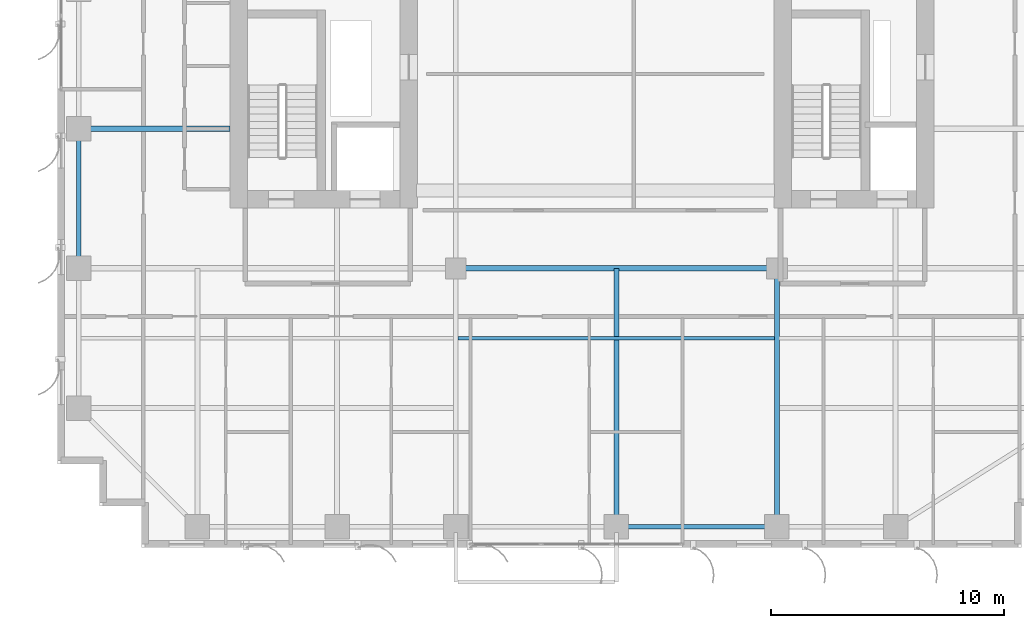
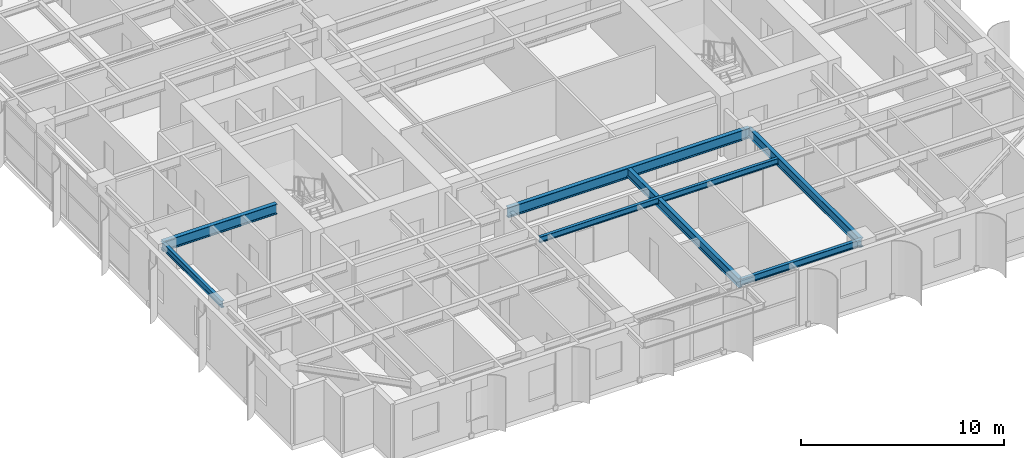
# One storey, part 3 of 25: 7 beams.
"""IFC4 building model written with IfcOpenShell, lengths in metres."""

from ifc_helpers import new_model, si_unit, direction, frame, origin, origin_2d, place, context, subcontext, project, spatial, i_section, extrude, source, transform, mapped, material, material_profile, profile_set, type_object, element, save


model = new_model("IFC4")

# Units and contexts
model_context = context("Model", 3, precision=1e-05, world=origin(), true_north=direction((0.0, 1.0)))
body_context = subcontext(model_context, "Body", "Model", "MODEL_VIEW")
ifc_project = project(units=[si_unit("LENGTHUNIT", "METRE"), si_unit("AREAUNIT", "SQUARE_METRE"), si_unit("VOLUMEUNIT", "CUBIC_METRE"), si_unit("PLANEANGLEUNIT", "RADIAN"), si_unit("MASSUNIT", "GRAM", prefix="KILO")], contexts=[model_context])

# Site, building, storey
site_placement = place(None, origin())
site = spatial("IfcSite", under=ifc_project, at=site_placement, CompositionType="ELEMENT")
building_placement = place(site_placement, origin())
building = spatial("IfcBuilding", under=site, at=building_placement, Name="Khoralis Quay Care Tower", CompositionType="ELEMENT")
storey_placement = place(building_placement, frame((0.0, 0.0, 134.10009765625)))
storey = spatial("IfcBuildingStorey", under=building, at=storey_placement, Name="L35", CompositionType="ELEMENT", Elevation=134.10009765625)

# Beams
ifc_material = material(Name="Steel S355", Category="steel")
ifc_material_profile_1 = material_profile(ifc_material, i_section(OverallWidth=0.179931640625, OverallDepth=0.39990234375, WebThickness=0.008544921875, FlangeThickness=0.013427734375, FilletRadius=0.02099609375, at=origin_2d()), Name="Steel S355")
ifc_profile_set_1 = profile_set([ifc_material_profile_1], Name="Steel S355")
beam_type_1 = type_object("IfcBeamType", Name="BM-IPE400", PredefinedType="SPANDREL", material=ifc_profile_set_1)
shared_shape_1 = source(origin(), body_context, "Body", "SweptSolid", [
    extrude(i_section(OverallWidth=0.179931640625, OverallDepth=0.39990234375, WebThickness=0.008544921875, FlangeThickness=0.013427734375, FilletRadius=0.02099609375, at=origin_2d()), origin(), (0.0, 0.0, 1.0), 6.0),
])
beam_1_placement = place(storey_placement, frame((0.89990234375, 12.0, 3.139892578125), z_axis=(0.0, 1.0, 0.0), x_axis=(-1.0, 0.0, 0.0)))
element("IfcBeam", 1, at=beam_1_placement, inside=storey, type_object=beam_type_1, Name="BM-TSP-L35-12", PredefinedType="SPANDREL", context=body_context, shape_type="MappedRepresentation", body=[
    mapped(shared_shape_1, transform((0.0, 0.0, 0.0), scale=1.0)),
])
shared_shape_2 = source(origin(), body_context, "Body", "SweptSolid", [
    extrude(i_section(OverallWidth=0.179931640625, OverallDepth=0.39990234375, WebThickness=0.008544921875, FlangeThickness=0.013427734375, FilletRadius=0.02099609375, at=origin_2d()), origin(), (0.0, 0.0, 1.0), 6.89990234375),
])
beam_2_placement = place(storey_placement, frame((24.0, 0.89990234375, 3.139892578125), z_axis=(1.0, 0.0, 0.0), x_axis=(0.0, 1.0, 0.0)))
element("IfcBeam", 2, at=beam_2_placement, inside=storey, type_object=beam_type_1, Name="BM-TSP-L35-04", PredefinedType="SPANDREL", context=body_context, shape_type="MappedRepresentation", body=[
    mapped(shared_shape_2, transform((0.0, 0.0, 0.0), scale=1.0)),
])
ifc_material_profile_2 = material_profile(ifc_material, i_section(OverallWidth=0.22998046875, OverallDepth=0.616943359375, WebThickness=0.01318359375, FlangeThickness=0.022216796875, FilletRadius=0.01806640625, at=origin_2d()), Name="Steel S355")
ifc_profile_set_2 = profile_set([ifc_material_profile_2], Name="Steel S355")
beam_type_2 = type_object("IfcBeamType", Name="BM-W610X140", PredefinedType="BEAM", material=ifc_profile_set_2)
shared_shape_3 = source(origin(), body_context, "Body", "SweptSolid", [
    extrude(i_section(OverallWidth=0.22998046875, OverallDepth=0.616943359375, WebThickness=0.01318359375, FlangeThickness=0.022216796875, FilletRadius=0.01806640625, at=origin_2d()), origin(), (0.0, 0.0, 1.0), 6.502197265625),
])
beam_3_placement = place(storey_placement, frame((0.89990234375, 18.0, 3.031494140625), z_axis=(1.0, 0.0, 0.0), x_axis=(0.0, 1.0, 0.0)))
element("IfcBeam", 3, at=beam_3_placement, inside=storey, type_object=beam_type_2, Name="BM-TGXW-L35-180", PredefinedType="BEAM", context=body_context, shape_type="MappedRepresentation", body=[
    mapped(shared_shape_3, transform((0.0, 0.0, 0.0), scale=1.0)),
])
shared_shape_4 = source(origin(), body_context, "Body", "SweptSolid", [
    extrude(i_section(OverallWidth=0.22998046875, OverallDepth=0.616943359375, WebThickness=0.01318359375, FlangeThickness=0.022216796875, FilletRadius=0.01806640625, at=origin_2d()), origin(), (0.0, 0.0, 1.0), 13.7998046875),
])
beam_4_placement = place(storey_placement, frame((17.10009765625, 12.0, 3.031494140625), z_axis=(1.0, 0.0, 0.0), x_axis=(0.0, 1.0, 0.0)))
element("IfcBeam", 4, at=beam_4_placement, inside=storey, type_object=beam_type_2, Name="BM-TGCC-L35-120", PredefinedType="BEAM", context=body_context, shape_type="MappedRepresentation", body=[
    mapped(shared_shape_4, transform((0.0, 0.0, 0.0), scale=1.0)),
])
ifc_material_profile_3 = material_profile(ifc_material, i_section(OverallWidth=0.2119140625, OverallDepth=0.5439453125, WebThickness=0.01318359375, FlangeThickness=0.021240234375, FilletRadius=0.01611328125, at=origin_2d()), Name="Steel S355")
ifc_profile_set_3 = profile_set([ifc_material_profile_3], Name="Steel S355")
beam_type_3 = type_object("IfcBeamType", Name="BM-W530X123", PredefinedType="BEAM", material=ifc_profile_set_3)
shared_shape_5 = source(origin(), body_context, "Body", "SweptSolid", [
    extrude(i_section(OverallWidth=0.2119140625, OverallDepth=0.5439453125, WebThickness=0.01318359375, FlangeThickness=0.021240234375, FilletRadius=0.01611328125, at=origin_2d()), origin(), (0.0, 0.0, 1.0), 11.10009765625),
])
for number, where, z_axis, x_axis, name in (
    (5, (24.0, 0.89990234375, 3.06787109375), (0.0, 1.0, 0.0), (-1.0, 0.0, 0.0), "BM-TGYS-L35-240"),
    (6, (30.89990234375, 0.89990234375, 3.06787109375), (0.0, 1.0, 0.0), (-1.0, 0.0, 0.0), "BM-TGYS-L35-309"),
):
    element("IfcBeam", number, at=place(storey_placement, frame(where, z_axis=z_axis, x_axis=x_axis)), inside=storey, type_object=beam_type_3, Name=name, PredefinedType="BEAM", context=body_context, shape_type="MappedRepresentation", body=[
        mapped(shared_shape_5, transform((0.0, 0.0, 0.0), scale=1.0)),
    ])
ifc_material_profile_4 = material_profile(ifc_material, i_section(OverallWidth=0.1708984375, OverallDepth=0.35498046875, WebThickness=0.007080078125, FlangeThickness=0.01171875, FilletRadius=0.012939453125, at=origin_2d()), Name="Steel S355")
ifc_profile_set_4 = profile_set([ifc_material_profile_4], Name="Steel S355")
beam_type_4 = type_object("IfcBeamType", Name="BM-W360X51", PredefinedType="JOIST", material=ifc_profile_set_4)
shared_shape_6 = source(origin(), body_context, "Body", "SweptSolid", [
    extrude(i_section(OverallWidth=0.1708984375, OverallDepth=0.35498046875, WebThickness=0.007080078125, FlangeThickness=0.01171875, FilletRadius=0.012939453125, at=origin_2d()), origin(), (0.0, 0.0, 1.0), 13.61181640625),
])
beam_5_placement = place(storey_placement, frame((17.194091796875, 9.0, 3.162353515625), z_axis=(1.0, 0.0, 0.0), x_axis=(0.0, 1.0, 0.0)))
element("IfcBeam", 7, at=beam_5_placement, inside=storey, type_object=beam_type_4, Name="BM-TJS-L35-27", PredefinedType="JOIST", context=body_context, shape_type="MappedRepresentation", body=[
    mapped(shared_shape_6, transform((0.0, 0.0, 0.0), scale=1.0)),
])

save(model, "model.ifc")
